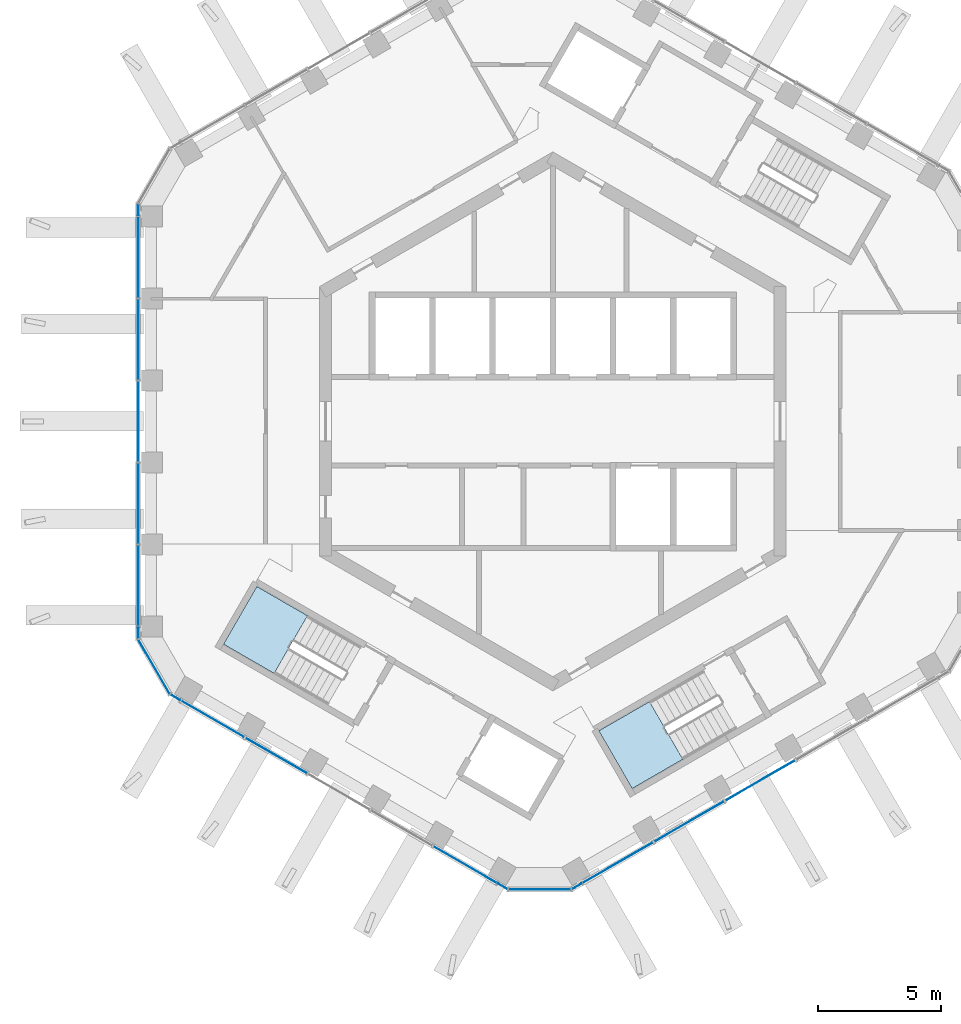
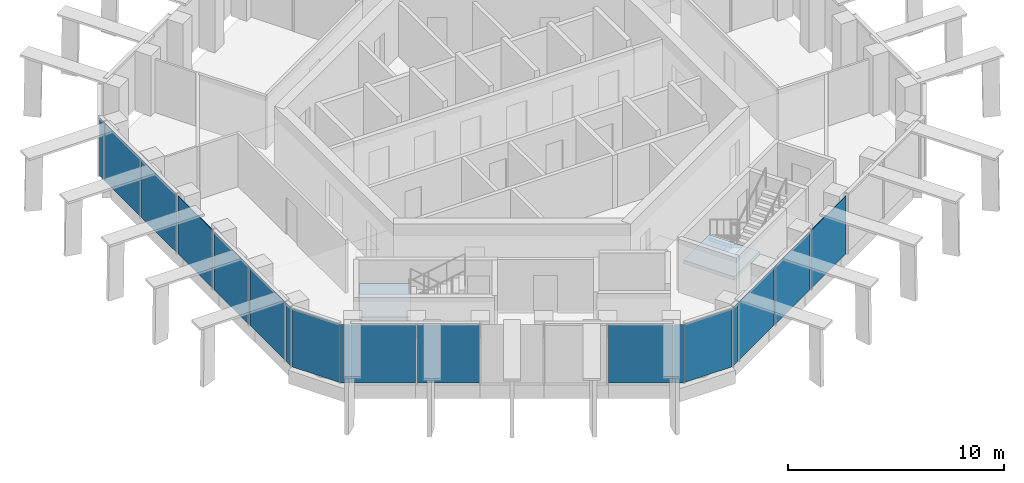
# One storey, part 7 of 17: 18 plates, 2 slabs, 8 elements without a shape of their own.
"""IFC4 building model written with IfcOpenShell, lengths in metres."""

from ifc_helpers import new_model, si_unit, direction, frame, origin, origin_2d, place, context, subcontext, project, spatial, polyline, rectangle, outline, extrude, material, layer, layer_set, type_object, element, aggregate, save


model = new_model("IFC4")

# Units and contexts
model_context = context("Model", 3, precision=1e-05, world=origin(), true_north=direction((0.0, 1.0)))
body_context = subcontext(model_context, "Body", "Model", "MODEL_VIEW")
ifc_project = project(units=[si_unit("LENGTHUNIT", "METRE"), si_unit("AREAUNIT", "SQUARE_METRE"), si_unit("VOLUMEUNIT", "CUBIC_METRE"), si_unit("PLANEANGLEUNIT", "RADIAN"), si_unit("MASSUNIT", "GRAM", prefix="KILO")], contexts=[model_context])

# Site, building, storey
site_placement = place(None, origin())
site = spatial("IfcSite", under=ifc_project, at=site_placement, CompositionType="ELEMENT")
building_placement = place(site_placement, origin())
building = spatial("IfcBuilding", under=site, at=building_placement, Name="Ayvan Gate Tower", CompositionType="ELEMENT")
storey_placement = place(building_placement, frame((0.0, 0.0, 249.5)))
storey = spatial("IfcBuildingStorey", under=building, at=storey_placement, Name="L67", CompositionType="ELEMENT", Elevation=249.5)

# Stair, slab
ifc_material_1 = material(Name="Concrete C40/50", Category="concrete")
stair_type = type_object("IfcStairType", Name="ST-EXIT", PredefinedType="HALF_TURN_STAIR", material=ifc_material_1)
stair_1_placement = place(storey_placement, origin())
stair_1 = element("IfcStair", 1, at=stair_1_placement, inside=storey, type_object=stair_type, Name="L67 Exit Stair S2", PredefinedType="HALF_TURN_STAIR")
ifc_layer_1 = layer(ifc_material_1, 0.199951171875)
ifc_layer_set_1 = layer_set([ifc_layer_1], Name="Concrete C40/50")
slab_type = type_object("IfcSlabType", Name="SL-LANDING-200", PredefinedType="LANDING", material=ifc_layer_set_1)
slab_1_placement = place(storey_placement, frame((0.0, 0.0, 1.5)))
slab_1 = element("IfcSlab", 2, at=slab_1_placement, type_object=slab_type, Name="STS2 landing 1", PredefinedType="LANDING", context=body_context, shape_type="SweptSolid", body=[
    extrude(outline(polyline([(-9.988525390625, -7.91064453125), (-12.049560546875, -6.720458984375), (-13.404541015625, -9.0673828125), (-11.343505859375, -10.257568359375), (-9.988525390625, -7.91064453125)])), origin(), (0.0, 0.0, 1.0), 0.199951171875),
])
aggregate(stair_1, [slab_1])

stair_2_placement = place(storey_placement, origin())
stair_2 = element("IfcStair", 3, at=stair_2_placement, inside=storey, type_object=stair_type, Name="L67 Exit Stair S3", PredefinedType="HALF_TURN_STAIR")
slab_2_placement = place(storey_placement, frame((0.0, 0.0, 1.5)))
slab_2 = element("IfcSlab", 4, at=slab_2_placement, type_object=slab_type, Name="STS3 landing 1", PredefinedType="LANDING", context=body_context, shape_type="SweptSolid", body=[
    extrude(outline(polyline([(3.93505859375, -11.405517578125), (1.873779296875, -12.595458984375), (3.228759765625, -14.9423828125), (5.2900390625, -13.75244140625), (3.93505859375, -11.405517578125)])), origin(), (0.0, 0.0, 1.0), 0.199951171875),
])
aggregate(stair_2, [slab_2])

# Curtain wall, plates
ifc_material_2 = material(Name="Bronze anodised aluminium", Category="aluminium")
ifc_layer_2 = layer(ifc_material_2, 0.199951171875)
ifc_layer_set_2 = layer_set([ifc_layer_2], Name="Bronze anodised aluminium")
curtain_wall_type_1 = type_object("IfcCurtainWallType", Name="Stick curtain wall CW-2", PredefinedType="NOTDEFINED", material=ifc_layer_set_2)
curtain_wall_1_placement = place(storey_placement, origin())
curtain_wall_1 = element("IfcCurtainWall", 5, at=curtain_wall_1_placement, inside=storey, type_object=curtain_wall_type_1, Name="Stick curtain wall CW-2 L67", PredefinedType="NOTDEFINED")
ifc_material_3 = material(Name="Clear low-iron laminated glass", Category="glass")
ifc_layer_3 = layer(ifc_material_3, 0.028076171875)
ifc_layer_set_3 = layer_set([ifc_layer_3], Name="Clear low-iron laminated glass")
plate_type_1 = type_object("IfcPlateType", Name="Stick curtain wall CW-2 glass panel", PredefinedType="CURTAIN_PANEL", material=ifc_layer_set_3)
plate_1_placement = place(storey_placement, frame((-16.87841796875, 6.700927734375, 0.0), z_axis=(0.0, 0.0, 1.0), x_axis=(0.0, -1.0, 0.0)))
plate_1 = element("IfcPlate", 6, at=plate_1_placement, type_object=plate_type_1, Name="CW-2 glass panel 1", PredefinedType="CURTAIN_PANEL", context=body_context, shape_type="SweptSolid", body=[
    extrude(rectangle(XDim=3.319091796875, YDim=0.028076171875, at=origin_2d()), origin(), (0.0, 0.0, 1.0), 3.280029296875),
])
plate_2_placement = place(storey_placement, frame((-16.87841796875, 3.33740234375, 0.0), z_axis=(0.0, 0.0, 1.0), x_axis=(0.0, -1.0, 0.0)))
plate_2 = element("IfcPlate", 7, at=plate_2_placement, type_object=plate_type_1, Name="CW-2 glass panel 2", PredefinedType="CURTAIN_PANEL", context=body_context, shape_type="SweptSolid", body=[
    extrude(rectangle(XDim=3.26806640625, YDim=0.028076171875, at=origin_2d()), origin(), (0.0, 0.0, 1.0), 3.280029296875),
])
plate_3_placement = place(storey_placement, frame((-16.87841796875, 0.0, 0.0), z_axis=(0.0, 0.0, 1.0), x_axis=(0.0, -1.0, 0.0)))
plate_3 = element("IfcPlate", 8, at=plate_3_placement, type_object=plate_type_1, Name="CW-2 glass panel 3", PredefinedType="CURTAIN_PANEL", context=body_context, shape_type="SweptSolid", body=[
    extrude(rectangle(XDim=3.26708984375, YDim=0.028076171875, at=origin_2d()), origin(), (0.0, 0.0, 1.0), 3.280029296875),
])
plate_4_placement = place(storey_placement, frame((-16.87841796875, -3.337646484375, 0.0), z_axis=(0.0, 0.0, 1.0), x_axis=(0.0, -1.0, 0.0)))
plate_4 = element("IfcPlate", 9, at=plate_4_placement, type_object=plate_type_1, Name="CW-2 glass panel 4", PredefinedType="CURTAIN_PANEL", context=body_context, shape_type="SweptSolid", body=[
    extrude(rectangle(XDim=3.26806640625, YDim=0.028076171875, at=origin_2d()), origin(), (0.0, 0.0, 1.0), 3.280029296875),
])
plate_5_placement = place(storey_placement, frame((-16.87841796875, -6.700927734375, 0.0), z_axis=(0.0, 0.0, 1.0), x_axis=(0.0, -1.0, 0.0)))
plate_5 = element("IfcPlate", 10, at=plate_5_placement, type_object=plate_type_1, Name="CW-2 glass panel 5", PredefinedType="CURTAIN_PANEL", context=body_context, shape_type="SweptSolid", body=[
    extrude(rectangle(XDim=3.31884765625, YDim=0.028076171875, at=origin_2d()), origin(), (0.0, 0.0, 1.0), 3.280029296875),
])
aggregate(curtain_wall_1, [plate_1, plate_2, plate_3, plate_4, plate_5])

curtain_wall_2_placement = place(storey_placement, origin())
curtain_wall_2 = element("IfcCurtainWall", 11, at=curtain_wall_2_placement, inside=storey, type_object=curtain_wall_type_1, Name="Stick curtain wall CW-2 L67", PredefinedType="NOTDEFINED")
plate_6_placement = place(storey_placement, frame((-13.85498046875, -12.10693359375, 0.0), z_axis=(0.0, 0.0, 1.0), x_axis=(0.866025403784, -0.5, 0.0)))
plate_6 = element("IfcPlate", 12, at=plate_6_placement, type_object=plate_type_1, Name="CW-2 glass panel 1", PredefinedType="CURTAIN_PANEL", context=body_context, shape_type="SweptSolid", body=[
    extrude(rectangle(XDim=2.97998046875, YDim=0.028076171875, at=origin_2d()), origin(), (0.0, 0.0, 1.0), 3.280029296875),
])
plate_7_placement = place(storey_placement, frame((-11.25830078125, -13.606201171875, 0.0), z_axis=(0.0, 0.0, 1.0), x_axis=(0.866025403784, -0.5, 0.0)))
plate_7 = element("IfcPlate", 13, at=plate_7_placement, type_object=plate_type_1, Name="CW-2 glass panel 2", PredefinedType="CURTAIN_PANEL", context=body_context, shape_type="SweptSolid", body=[
    extrude(rectangle(XDim=2.876953125, YDim=0.028076171875, at=origin_2d()), origin(), (0.0, 0.0, 1.0), 3.280029296875),
])
plate_8_placement = place(storey_placement, frame((-3.5576171875, -18.05224609375, 0.0), z_axis=(0.0, 0.0, 1.0), x_axis=(0.866025403784, -0.5, 0.0)))
plate_8 = element("IfcPlate", 14, at=plate_8_placement, type_object=plate_type_1, Name="CW-2 glass panel 5", PredefinedType="CURTAIN_PANEL", context=body_context, shape_type="SweptSolid", body=[
    extrude(rectangle(XDim=2.980712890625, YDim=0.028076171875, at=origin_2d()), origin(), (0.0, 0.0, 1.0), 3.280029296875),
])
aggregate(curtain_wall_2, [plate_6, plate_7, plate_8])

curtain_wall_3_placement = place(storey_placement, origin())
curtain_wall_3 = element("IfcCurtainWall", 15, at=curtain_wall_3_placement, inside=storey, type_object=curtain_wall_type_1, Name="Stick curtain wall CW-2 L67", PredefinedType="NOTDEFINED")
plate_9_placement = place(storey_placement, frame((2.635986328125, -17.967529296875, 0.0), z_axis=(0.0, 0.0, 1.0), x_axis=(0.866025403784, 0.5, 0.0)))
plate_9 = element("IfcPlate", 16, at=plate_9_placement, type_object=plate_type_1, Name="CW-2 glass panel 1", PredefinedType="CURTAIN_PANEL", context=body_context, shape_type="SweptSolid", body=[
    extrude(rectangle(XDim=3.319091796875, YDim=0.028076171875, at=origin_2d()), origin(), (0.0, 0.0, 1.0), 3.280029296875),
])
plate_10_placement = place(storey_placement, frame((5.548828125, -16.285888671875, 0.0), z_axis=(0.0, 0.0, 1.0), x_axis=(0.866025403784, 0.5, 0.0)))
plate_10 = element("IfcPlate", 17, at=plate_10_placement, type_object=plate_type_1, Name="CW-2 glass panel 2", PredefinedType="CURTAIN_PANEL", context=body_context, shape_type="SweptSolid", body=[
    extrude(rectangle(XDim=3.26806640625, YDim=0.028076171875, at=origin_2d()), origin(), (0.0, 0.0, 1.0), 3.280029296875),
])
plate_11_placement = place(storey_placement, frame((8.439208984375, -14.6171875, 0.0), z_axis=(0.0, 0.0, 1.0), x_axis=(0.866025403784, 0.5, 0.0)))
plate_11 = element("IfcPlate", 18, at=plate_11_placement, type_object=plate_type_1, Name="CW-2 glass panel 3", PredefinedType="CURTAIN_PANEL", context=body_context, shape_type="SweptSolid", body=[
    extrude(rectangle(XDim=3.26708984375, YDim=0.028076171875, at=origin_2d()), origin(), (0.0, 0.0, 1.0), 3.280029296875),
])
aggregate(curtain_wall_3, [plate_9, plate_10, plate_11])

# Curtain wall, plate
ifc_layer_4 = layer(ifc_material_2, 0.199951171875)
ifc_layer_set_4 = layer_set([ifc_layer_4], Name="Bronze anodised aluminium")
curtain_wall_type_2 = type_object("IfcCurtainWallType", Name="Stick curtain wall CW-6", PredefinedType="NOTDEFINED", material=ifc_layer_set_4)
curtain_wall_4_placement = place(storey_placement, origin())
curtain_wall_4 = element("IfcCurtainWall", 19, at=curtain_wall_4_placement, inside=storey, type_object=curtain_wall_type_2, Name="Stick curtain wall CW-6 L67", PredefinedType="NOTDEFINED")
ifc_layer_5 = layer(ifc_material_3, 0.028076171875)
ifc_layer_set_5 = layer_set([ifc_layer_5], Name="Clear low-iron laminated glass")
plate_type_2 = type_object("IfcPlateType", Name="Stick curtain wall CW-6 glass panel", PredefinedType="CURTAIN_PANEL", material=ifc_layer_set_5)
plate_12_placement = place(storey_placement, frame((-16.87841796875, 8.620361328125, 0.0), z_axis=(0.0, 0.0, 1.0), x_axis=(0.0, -1.0, 0.0)))
plate_12 = element("IfcPlate", 20, at=plate_12_placement, type_object=plate_type_2, Name="CW-6 glass panel 3", PredefinedType="CURTAIN_PANEL", context=body_context, shape_type="SweptSolid", body=[
    extrude(rectangle(XDim=0.449951171875, YDim=0.028076171875, at=origin_2d()), origin(), (0.0, 0.0, 1.0), 3.280029296875),
])
aggregate(curtain_wall_4, [plate_12])

# Curtain wall, plates
curtain_wall_5_placement = place(storey_placement, origin())
curtain_wall_5 = element("IfcCurtainWall", 21, at=curtain_wall_5_placement, inside=storey, type_object=curtain_wall_type_2, Name="Stick curtain wall CW-6 L67", PredefinedType="NOTDEFINED")
plate_13_placement = place(storey_placement, frame((-16.87841796875, -8.620361328125, 0.0), z_axis=(0.0, 0.0, 1.0), x_axis=(0.0, -1.0, 0.0)))
plate_13 = element("IfcPlate", 22, at=plate_13_placement, type_object=plate_type_2, Name="CW-6 glass panel 1", PredefinedType="CURTAIN_PANEL", context=body_context, shape_type="SweptSolid", body=[
    extrude(rectangle(XDim=0.449951171875, YDim=0.028076171875, at=origin_2d()), origin(), (0.0, 0.0, 1.0), 3.280029296875),
])
plate_14_placement = place(storey_placement, frame((-16.232666015625, -9.98876953125, 0.0), z_axis=(0.0, 0.0, 1.0), x_axis=(0.5, -0.866025403784, 0.0)))
plate_14 = element("IfcPlate", 23, at=plate_14_placement, type_object=plate_type_2, Name="CW-6 glass panel 2", PredefinedType="CURTAIN_PANEL", context=body_context, shape_type="SweptSolid", body=[
    extrude(rectangle(XDim=2.532470703125, YDim=0.028076171875, at=origin_2d()), origin(), (0.0, 0.0, 1.0), 3.280029296875),
])
plate_15_placement = place(storey_placement, frame((-15.37060546875, -11.23193359375, 0.0), z_axis=(0.0, 0.0, 1.0), x_axis=(0.866025403784, -0.5, 0.0)))
plate_15 = element("IfcPlate", 24, at=plate_15_placement, type_object=plate_type_2, Name="CW-6 glass panel 3", PredefinedType="CURTAIN_PANEL", context=body_context, shape_type="SweptSolid", body=[
    extrude(rectangle(XDim=0.449951171875, YDim=0.028076171875, at=origin_2d()), origin(), (0.0, 0.0, 1.0), 3.280029296875),
])
aggregate(curtain_wall_5, [plate_13, plate_14, plate_15])

curtain_wall_6_placement = place(storey_placement, origin())
curtain_wall_6 = element("IfcCurtainWall", 25, at=curtain_wall_6_placement, inside=storey, type_object=curtain_wall_type_2, Name="Stick curtain wall CW-6 L67", PredefinedType="NOTDEFINED")
plate_16_placement = place(storey_placement, frame((-2.0419921875, -18.92724609375, 0.0), z_axis=(0.0, 0.0, 1.0), x_axis=(0.866025403784, -0.5, 0.0)))
plate_16 = element("IfcPlate", 26, at=plate_16_placement, type_object=plate_type_2, Name="CW-6 glass panel 1", PredefinedType="CURTAIN_PANEL", context=body_context, shape_type="SweptSolid", body=[
    extrude(rectangle(XDim=0.449951171875, YDim=0.028076171875, at=origin_2d()), origin(), (0.0, 0.0, 1.0), 3.280029296875),
])
plate_17_placement = place(storey_placement, frame((-0.5341796875, -19.05224609375, 0.0), z_axis=(0.0, 0.0, 1.0), x_axis=(1.0, 0.0, 0.0)))
plate_17 = element("IfcPlate", 27, at=plate_17_placement, type_object=plate_type_2, Name="CW-6 glass panel 2", PredefinedType="CURTAIN_PANEL", context=body_context, shape_type="SweptSolid", body=[
    extrude(rectangle(XDim=2.532470703125, YDim=0.028076171875, at=origin_2d()), origin(), (0.0, 0.0, 1.0), 3.280029296875),
])
plate_18_placement = place(storey_placement, frame((0.9736328125, -18.92724609375, 0.0), z_axis=(0.0, 0.0, 1.0), x_axis=(0.866025403784, 0.5, 0.0)))
plate_18 = element("IfcPlate", 28, at=plate_18_placement, type_object=plate_type_2, Name="CW-6 glass panel 3", PredefinedType="CURTAIN_PANEL", context=body_context, shape_type="SweptSolid", body=[
    extrude(rectangle(XDim=0.449951171875, YDim=0.028076171875, at=origin_2d()), origin(), (0.0, 0.0, 1.0), 3.280029296875),
])
aggregate(curtain_wall_6, [plate_16, plate_17, plate_18])

save(model, "model.ifc")
